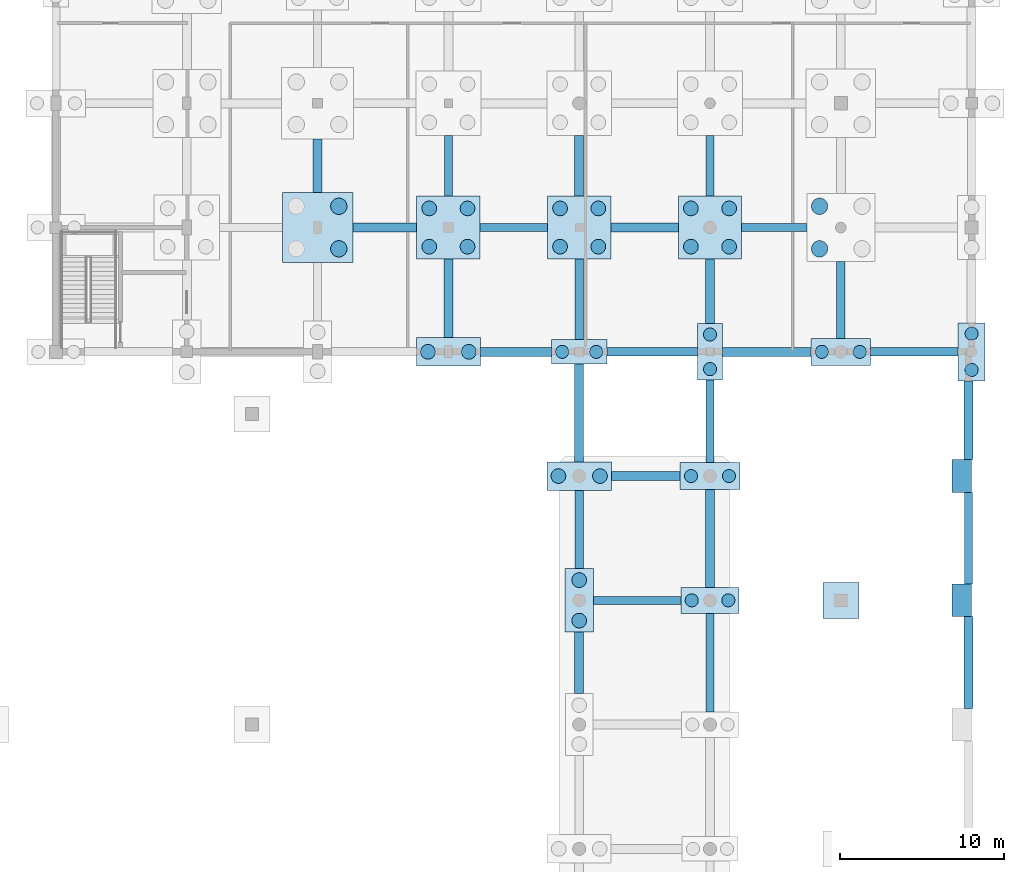
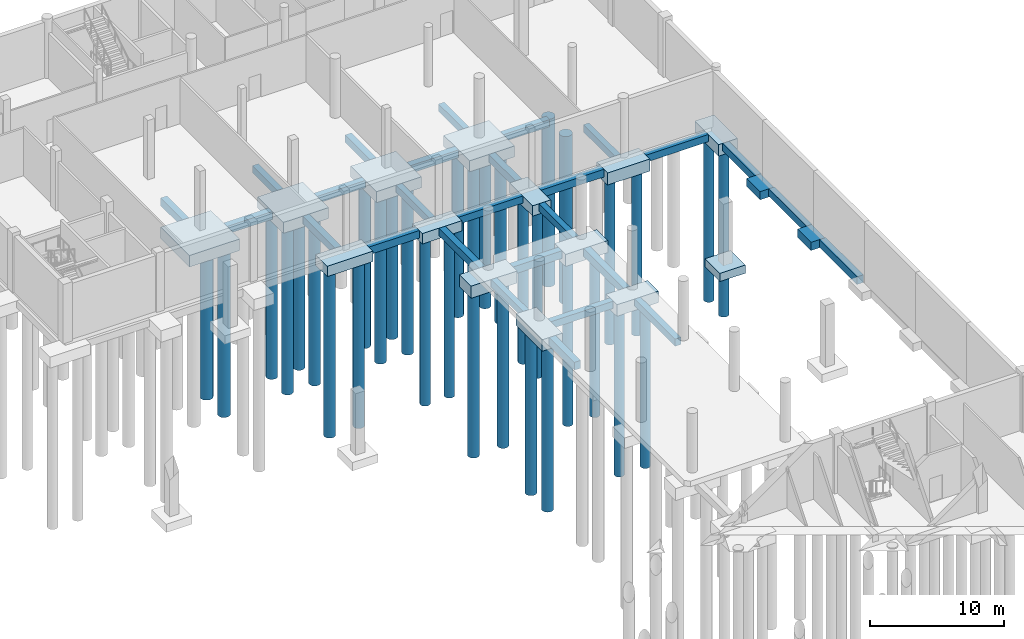
# One storey, part 15 of 44: 43 footings, 34 piles.
"""IFC4 building model written with IfcOpenShell, lengths in metres."""

import ifcopenshell
import ifcopenshell.guid

model = None  # the IFC model being written
_history = None  # IfcOwnerHistory: only IFC2X3 demands one
_inside = {}  # id of a spatial element -> (the spatial element, [elements in it])
_under = {}  # id of a project, library or spatial element -> (it, [spatial elements below it])
_declared = {}  # id of a project -> (the project, [libraries it declares])
_typed = {}  # id of a type object -> (the type object, [elements of that type])
_made_of = {}  # id of a material, layer set ... -> (it, [elements and type objects made of it])


def new_model(schema):
    """Start an empty IFC model of exactly this schema.

    Asked for "IFC4X3", IfcOpenShell would pick the latest addendum, in which some entities
    have other attributes; the version numbers below select the first issue.
    IFC2X3 requires an IfcOwnerHistory on every rooted entity: one is made here for all.
    """
    global model, _history
    if schema == "IFC4X3":
        model = ifcopenshell.file(schema_version=(4, 3, 0, 0))
    else:
        model = ifcopenshell.file(schema=schema)
    _inside.clear()
    _under.clear()
    _declared.clear()
    _typed.clear()
    _made_of.clear()
    _history = None
    if model.schema == "IFC2X3":
        org = make("IfcOrganization", Name="unknown")
        user = make(
            "IfcPersonAndOrganization",
            ThePerson=make("IfcPerson", FamilyName="unknown"),
            TheOrganization=org,
        )
        app = make(
            "IfcApplication",
            ApplicationDeveloper=org,
            Version="unknown",
            ApplicationFullName="unknown",
            ApplicationIdentifier="unknown",
        )
        _history = make(
            "IfcOwnerHistory",
            OwningUser=user,
            OwningApplication=app,
            ChangeAction="ADDED",
            CreationDate=0,
        )
    return model


def make(cls, **values):
    """One entity of the class cls with the attributes given. An attribute that is None is left unset."""
    return model.create_entity(
        cls, **{name: value for name, value in values.items() if value is not None}
    )


def rooted(cls, **values):
    """An entity with a GlobalId (a new one), such as an element, a storey or a relation."""
    return make(cls, GlobalId=ifcopenshell.guid.new(), OwnerHistory=_history, **values)


def si_unit(unit_type, name, prefix=None):
    """IfcSIUnit, for example si_unit("LENGTHUNIT", "METRE", prefix="MILLI")."""
    return make("IfcSIUnit", UnitType=unit_type, Prefix=prefix, Name=name)


def assignment(units):
    """IfcUnitAssignment: the units of a project."""
    return None if units is None else make("IfcUnitAssignment", Units=units)


def point(xyz):
    """IfcCartesianPoint."""
    return None if xyz is None else make("IfcCartesianPoint", Coordinates=xyz)


def direction(xyz):
    """IfcDirection."""
    return None if xyz is None else make("IfcDirection", DirectionRatios=xyz)


def frame(location, z_axis=None, x_axis=None):
    """IfcAxis2Placement3D, a coordinate frame: its origin and axes. An axis left out is left unset."""
    return make(
        "IfcAxis2Placement3D",
        Location=point(location),
        Axis=direction(z_axis),
        RefDirection=direction(x_axis),
    )


def frame_2d(location, x_axis=None):
    """IfcAxis2Placement2D, a coordinate frame in the plane: its origin and x axis."""
    return make(
        "IfcAxis2Placement2D", Location=point(location), RefDirection=direction(x_axis)
    )


def origin():
    """The frame at (0, 0, 0) with its axes left unset."""
    return frame((0.0, 0.0, 0.0))


def origin_2d():
    """The frame at (0, 0) in the plane with its x axis left unset."""
    return frame_2d((0.0, 0.0))


def place(relative_to, where):
    """IfcLocalPlacement: puts the frame where relative to a parent placement (None: the world)."""
    return make(
        "IfcLocalPlacement", PlacementRelTo=relative_to, RelativePlacement=where
    )


def context(
    kind, dimensions, precision=None, world=None, true_north=None, identifier=None
):
    """IfcGeometricRepresentationContext, for example the 3D "Model" context."""
    return make(
        "IfcGeometricRepresentationContext",
        ContextIdentifier=identifier,
        ContextType=kind,
        CoordinateSpaceDimension=dimensions,
        Precision=precision,
        WorldCoordinateSystem=world,
        TrueNorth=true_north,
    )


def subcontext(parent, identifier, kind, view, scale=None):
    """IfcGeometricRepresentationSubContext, for example "Body" below "Model"."""
    return make(
        "IfcGeometricRepresentationSubContext",
        ContextIdentifier=identifier,
        ContextType=kind,
        ParentContext=parent,
        TargetScale=scale,
        TargetView=view,
    )


def project(units=None, contexts=None):
    """IfcProject with its units and contexts."""
    return rooted(
        "IfcProject",
        Name="project",
        RepresentationContexts=contexts,
        UnitsInContext=assignment(units),
    )


def spatial(cls, under=None, at=None, **own):
    """A site, building, storey or space (cls), placed at a placement, below another one or the project."""
    s = rooted(cls, ObjectPlacement=at, **own)
    if under is not None:
        _under.setdefault(under.id(), (under, []))[1].append(s)
    return s


def polyline(points):
    """IfcPolyline through the points."""
    return make("IfcPolyline", Points=[point(p) for p in points])


def profile(cls, at=None, kind="AREA", **sizes):
    """A parametric profile (cls). Its sizes go by their IFC names, for example OverallWidth=200.0."""
    return make(cls, ProfileType=kind, Position=at, **sizes)


def circle(**sizes):
    """IfcCircleProfileDef."""
    return profile("IfcCircleProfileDef", **sizes)


def outline(outer, holes=None, kind="AREA"):
    """IfcArbitraryClosedProfileDef: a profile drawn as a closed curve; with holes, ...WithVoids."""
    if holes is None:
        return make("IfcArbitraryClosedProfileDef", ProfileType=kind, OuterCurve=outer)
    return make(
        "IfcArbitraryProfileDefWithVoids",
        ProfileType=kind,
        OuterCurve=outer,
        InnerCurves=holes,
    )


def extrude(swept, where, along, depth):
    """IfcExtrudedAreaSolid: the profile swept, set in the frame where, extruded along a direction by depth."""
    return make(
        "IfcExtrudedAreaSolid",
        SweptArea=swept,
        Position=where,
        ExtrudedDirection=direction(along),
        Depth=depth,
    )


def shape(context_of_items, identifier, shape_type, items):
    """IfcShapeRepresentation: the items that make up one representation, for example the "Body"."""
    return make(
        "IfcShapeRepresentation",
        ContextOfItems=context_of_items,
        RepresentationIdentifier=identifier,
        RepresentationType=shape_type,
        Items=items,
    )


def material(Name=None, Category=None):
    """IfcMaterial."""
    return make("IfcMaterial", Name=Name, Category=Category)


def material_profile(
    of_material, cross_section, Name=None, Category=None, Priority=None
):
    """IfcMaterialProfile: a cross section and its material."""
    return make(
        "IfcMaterialProfile",
        Name=Name,
        Material=of_material,
        Profile=cross_section,
        Priority=Priority,
        Category=Category,
    )


def profile_set(profiles, Name=None, composite=None):
    """IfcMaterialProfileSet."""
    return make(
        "IfcMaterialProfileSet",
        Name=Name,
        MaterialProfiles=profiles,
        CompositeProfile=composite,
    )


def made_of(thing, what):
    """Note that an element or type object is made of a material, layer set ...; save() writes the relation."""
    if what is not None:
        _made_of.setdefault(what.id(), (what, []))[1].append(thing)
    return thing


def type_object(cls, material=None, **own):
    """A type object (cls), such as IfcWallType, which elements share."""
    return made_of(rooted(cls, **own), material)


def element(
    cls,
    number,
    at=None,
    inside=None,
    cuts=None,
    type_object=None,
    material=None,
    context=None,
    identifier="Body",
    shape_type=None,
    held_by="IfcProductDefinitionShape",
    body=None,
    shapes=None,
    **own,
):
    """One element of the class cls, such as IfcWall. Its Tag is "e" and its number.

    at: its placement. inside: the storey or other place that contains it. cuts: it is an
    opening in that element (IfcRelVoidsElement). A single representation is given by context,
    identifier, shape_type and body (its items); several are given by shapes. held_by: the class
    of the entity that holds the representations. save() writes the other relations.
    """
    e = rooted(cls, Tag="e%d" % number, ObjectPlacement=at, **own)
    if body is not None:
        shapes = [shape(context, identifier, shape_type, body)]
    if shapes is not None:
        e.Representation = make(held_by, Representations=shapes)
    if inside is not None:
        _inside.setdefault(inside.id(), (inside, []))[1].append(e)
    if cuts is not None:
        rooted(
            "IfcRelVoidsElement", RelatingBuildingElement=cuts, RelatedOpeningElement=e
        )
    if type_object is not None:
        _typed.setdefault(type_object.id(), (type_object, []))[1].append(e)
    return made_of(e, material)


def aggregate(whole, parts):
    """IfcRelAggregates: a whole, such as a stair, and the parts it consists of."""
    return rooted("IfcRelAggregates", RelatingObject=whole, RelatedObjects=parts)


def save(model, path):
    """Write the relations noted so far, then the file.

    IfcRelAggregates (storeys below a building ...), IfcRelContainedInSpatialStructure (elements
    in a storey), IfcRelDefinesByType, IfcRelAssociatesMaterial and IfcRelDeclares: one each for
    every whole, place, type object, material and project.
    """
    for whole, parts in _under.values():
        aggregate(whole, parts)
    for where, things in _inside.values():
        rooted(
            "IfcRelContainedInSpatialStructure",
            RelatedElements=things,
            RelatingStructure=where,
        )
    for kind, things in _typed.values():
        rooted("IfcRelDefinesByType", RelatedObjects=things, RelatingType=kind)
    for what, things in _made_of.values():
        rooted("IfcRelAssociatesMaterial", RelatedObjects=things, RelatingMaterial=what)
    for by, libraries in _declared.values():
        rooted("IfcRelDeclares", RelatingContext=by, RelatedDefinitions=libraries)
    model.write(path)


model = new_model("IFC4")

# Units and contexts
model_context = context("Model", 3, precision=1e-05, world=origin(), true_north=direction((0.0, 1.0)))
body_context = subcontext(model_context, "Body", "Model", "MODEL_VIEW")
ifc_project = project(units=[si_unit("LENGTHUNIT", "METRE"), si_unit("AREAUNIT", "SQUARE_METRE"), si_unit("VOLUMEUNIT", "CUBIC_METRE"), si_unit("PLANEANGLEUNIT", "RADIAN"), si_unit("MASSUNIT", "GRAM", prefix="KILO")], contexts=[model_context])

# Site, building, storey
site_placement = place(None, origin())
site = spatial("IfcSite", under=ifc_project, at=site_placement, CompositionType="ELEMENT")
building_placement = place(site_placement, origin())
building = spatial("IfcBuilding", under=site, at=building_placement, Name="Khelvaren Railside Concert Hall", CompositionType="ELEMENT")
storey_placement = place(building_placement, frame((0.0, 0.0, -5.39990234375)))
storey = spatial("IfcBuildingStorey", under=building, at=storey_placement, Name="B1", CompositionType="ELEMENT", Elevation=-5.39990234375)

# Piles
ifc_material = material(Name="Concrete C35/45", Category="concrete")
ifc_material_profile_1 = material_profile(ifc_material, circle(Radius=0.449951171875, at=origin_2d()), Name="BP D900")
ifc_profile_set_1 = profile_set([ifc_material_profile_1], Name="Concrete C35/45")
pile_type_1 = type_object("IfcPileType", Name="BP51", PredefinedType="BORED", material=ifc_profile_set_1)
for number, where, z_axis, x_axis, name in (
    (1, (150.75, 83.60009765625, -1.35009765625), (0.0, 0.0, -1.0), (1.0, 0.0, 0.0), "Bored Pile BP51 PC-V5-176-1"),
    (2, (153.25, 83.60009765625, -1.35009765625), (0.0, 0.0, -1.0), (1.0, 0.0, 0.0), "Bored Pile BP51 PC-V5-176-2"),
):
    element("IfcPile", number, at=place(storey_placement, frame(where, z_axis=z_axis, x_axis=x_axis)), inside=storey, type_object=pile_type_1, Name=name, PredefinedType="BORED", context=body_context, shape_type="SweptSolid", body=[
        extrude(circle(Radius=0.449951171875, at=origin_2d()), origin(), (0.0, 0.0, 1.0), 15.25),
    ])
for number, where, z_axis, x_axis, name in (
    (3, (150.830078125, 90.030029296875, -1.400146484375), (0.0, 0.0, -1.0), (1.0, 0.0, 0.0), "Bored Pile BP51 PC-V5-177-1"),
    (4, (153.169921875, 90.030029296875, -1.400146484375), (0.0, 0.0, -1.0), (1.0, 0.0, 0.0), "Bored Pile BP51 PC-V5-177-2"),
    (5, (150.830078125, 92.3701171875, -1.400146484375), (0.0, 0.0, -1.0), (1.0, 0.0, 0.0), "Bored Pile BP51 PC-V5-177-3"),
    (6, (153.169921875, 92.3701171875, -1.400146484375), (0.0, 0.0, -1.0), (1.0, 0.0, 0.0), "Bored Pile BP51 PC-V5-177-4"),
):
    element("IfcPile", number, at=place(storey_placement, frame(where, z_axis=z_axis, x_axis=x_axis)), inside=storey, type_object=pile_type_1, Name=name, PredefinedType="BORED", context=body_context, shape_type="SweptSolid", body=[
        extrude(circle(Radius=0.449951171875, at=origin_2d()), origin(), (0.0, 0.0, 1.0), 15.199951171875),
    ])
for number, where, z_axis, x_axis, name in (
    (7, (160.0, 67.159912109375, -1.4501953125), (0.0, 0.0, -1.0), (1.0, 0.0, 0.0), "Bored Pile BP51 PC-LB4-190-1"),
    (8, (160.0, 69.639892578125, -1.4501953125), (0.0, 0.0, -1.0), (1.0, 0.0, 0.0), "Bored Pile BP51 PC-LB4-190-2"),
):
    element("IfcPile", number, at=place(storey_placement, frame(where, z_axis=z_axis, x_axis=x_axis)), inside=storey, type_object=pile_type_1, Name=name, PredefinedType="BORED", context=body_context, shape_type="SweptSolid", body=[
        extrude(circle(Radius=0.449951171875, at=origin_2d()), origin(), (0.0, 0.0, 1.0), 15.14990234375),
    ])
for number, where, z_axis, x_axis, name in (
    (9, (158.72998046875, 76.0, -1.5), (0.0, 0.0, -1.0), (1.0, 0.0, 0.0), "Bored Pile BP51 PC-LB4-191-1"),
    (10, (161.27001953125, 76.0, -1.5), (0.0, 0.0, -1.0), (1.0, 0.0, 0.0), "Bored Pile BP51 PC-LB4-191-2"),
):
    element("IfcPile", number, at=place(storey_placement, frame(where, z_axis=z_axis, x_axis=x_axis)), inside=storey, type_object=pile_type_1, Name=name, PredefinedType="BORED", context=body_context, shape_type="SweptSolid", body=[
        extrude(circle(Radius=0.449951171875, at=origin_2d()), origin(), (0.0, 0.0, 1.0), 15.10009765625),
    ])
for number, where, z_axis, x_axis, name in (
    (11, (158.830078125, 90.030029296875, -1.400146484375), (0.0, 0.0, -1.0), (1.0, 0.0, 0.0), "Bored Pile BP51 PC-V5-193-1"),
    (12, (161.169921875, 90.030029296875, -1.400146484375), (0.0, 0.0, -1.0), (1.0, 0.0, 0.0), "Bored Pile BP51 PC-V5-193-2"),
    (13, (158.830078125, 92.3701171875, -1.400146484375), (0.0, 0.0, -1.0), (1.0, 0.0, 0.0), "Bored Pile BP51 PC-V5-193-3"),
    (14, (161.169921875, 92.3701171875, -1.400146484375), (0.0, 0.0, -1.0), (1.0, 0.0, 0.0), "Bored Pile BP51 PC-V5-193-4"),
    (15, (166.830078125, 90.030029296875, -1.400146484375), (0.0, 0.0, -1.0), (1.0, 0.0, 0.0), "Bored Pile BP51 PC-V5-209-1"),
    (16, (169.169921875, 90.030029296875, -1.400146484375), (0.0, 0.0, -1.0), (1.0, 0.0, 0.0), "Bored Pile BP51 PC-V5-209-2"),
    (17, (166.830078125, 92.3701171875, -1.400146484375), (0.0, 0.0, -1.0), (1.0, 0.0, 0.0), "Bored Pile BP51 PC-V5-209-3"),
    (18, (169.169921875, 92.3701171875, -1.400146484375), (0.0, 0.0, -1.0), (1.0, 0.0, 0.0), "Bored Pile BP51 PC-V5-209-4"),
):
    element("IfcPile", number, at=place(storey_placement, frame(where, z_axis=z_axis, x_axis=x_axis)), inside=storey, type_object=pile_type_1, Name=name, PredefinedType="BORED", context=body_context, shape_type="SweptSolid", body=[
        extrude(circle(Radius=0.449951171875, at=origin_2d()), origin(), (0.0, 0.0, 1.0), 15.199951171875),
    ])
ifc_material_profile_2 = material_profile(ifc_material, circle(Radius=0.39990234375, at=origin_2d()), Name="BP D800")
ifc_profile_set_2 = profile_set([ifc_material_profile_2], Name="Concrete C35/45")
pile_type_2 = type_object("IfcPileType", Name="BP84", PredefinedType="BORED", material=ifc_profile_set_2)
for number, where, z_axis, x_axis, name in (
    (19, (158.9599609375, 83.60009765625, -1.35009765625), (0.0, 0.0, -1.0), (1.0, 0.0, 0.0), "Bored Pile BP84 PC-V5-192-1"),
    (20, (161.0400390625, 83.60009765625, -1.35009765625), (0.0, 0.0, -1.0), (1.0, 0.0, 0.0), "Bored Pile BP84 PC-V5-192-2"),
):
    element("IfcPile", number, at=place(storey_placement, frame(where, z_axis=z_axis, x_axis=x_axis)), inside=storey, type_object=pile_type_2, Name=name, PredefinedType="BORED", context=body_context, shape_type="SweptSolid", body=[
        extrude(circle(Radius=0.39990234375, at=origin_2d()), origin(), (0.0, 0.0, 1.0), 15.25),
    ])
for number, where, z_axis, x_axis, name in (
    (21, (166.8798828125, 68.39990234375, -1.4501953125), (0.0, 0.0, -1.0), (1.0, 0.0, 0.0), "Bored Pile BP84 PC-LB4-206-1"),
    (22, (169.1201171875, 68.39990234375, -1.4501953125), (0.0, 0.0, -1.0), (1.0, 0.0, 0.0), "Bored Pile BP84 PC-LB4-206-2"),
):
    element("IfcPile", number, at=place(storey_placement, frame(where, z_axis=z_axis, x_axis=x_axis)), inside=storey, type_object=pile_type_2, Name=name, PredefinedType="BORED", context=body_context, shape_type="SweptSolid", body=[
        extrude(circle(Radius=0.39990234375, at=origin_2d()), origin(), (0.0, 0.0, 1.0), 15.14990234375),
    ])
for number, where, z_axis, x_axis, name in (
    (23, (166.840087890625, 76.0, -1.5), (0.0, 0.0, -1.0), (1.0, 0.0, 0.0), "Bored Pile BP84 PC-LB4-207-1"),
    (24, (169.159912109375, 76.0, -1.5), (0.0, 0.0, -1.0), (1.0, 0.0, 0.0), "Bored Pile BP84 PC-LB4-207-2"),
):
    element("IfcPile", number, at=place(storey_placement, frame(where, z_axis=z_axis, x_axis=x_axis)), inside=storey, type_object=pile_type_2, Name=name, PredefinedType="BORED", context=body_context, shape_type="SweptSolid", body=[
        extrude(circle(Radius=0.39990234375, at=origin_2d()), origin(), (0.0, 0.0, 1.0), 15.10009765625),
    ])
for number, where, z_axis, x_axis, name in (
    (25, (168.0, 82.5400390625, -1.35009765625), (0.0, 0.0, -1.0), (1.0, 0.0, 0.0), "Bored Pile BP84 PC-V5-208-1"),
    (26, (168.0, 84.659912109375, -1.35009765625), (0.0, 0.0, -1.0), (1.0, 0.0, 0.0), "Bored Pile BP84 PC-V5-208-2"),
):
    element("IfcPile", number, at=place(storey_placement, frame(where, z_axis=z_axis, x_axis=x_axis)), inside=storey, type_object=pile_type_2, Name=name, PredefinedType="BORED", context=body_context, shape_type="SweptSolid", body=[
        extrude(circle(Radius=0.39990234375, at=origin_2d()), origin(), (0.0, 0.0, 1.0), 15.25),
    ])
for number, where, z_axis, x_axis, name in (
    (27, (174.840087890625, 83.60009765625, -1.5), (0.0, 0.0, -1.0), (1.0, 0.0, 0.0), "Bored Pile BP84 PC-V5-219-1"),
    (28, (177.159912109375, 83.60009765625, -1.5), (0.0, 0.0, -1.0), (1.0, 0.0, 0.0), "Bored Pile BP84 PC-V5-219-2"),
):
    element("IfcPile", number, at=place(storey_placement, frame(where, z_axis=z_axis, x_axis=x_axis)), inside=storey, type_object=pile_type_2, Name=name, PredefinedType="BORED", context=body_context, shape_type="SweptSolid", body=[
        extrude(circle(Radius=0.39990234375, at=origin_2d()), origin(), (0.0, 0.0, 1.0), 15.10009765625),
    ])
for number, where, z_axis, x_axis, name in (
    (29, (184.0, 82.489990234375, -1.4501953125), (0.0, 0.0, -1.0), (1.0, 0.0, 0.0), "Bored Pile BP84 PC-V5-230-1"),
    (30, (184.0, 84.7099609375, -1.4501953125), (0.0, 0.0, -1.0), (1.0, 0.0, 0.0), "Bored Pile BP84 PC-V5-230-2"),
):
    element("IfcPile", number, at=place(storey_placement, frame(where, z_axis=z_axis, x_axis=x_axis)), inside=storey, type_object=pile_type_2, Name=name, PredefinedType="BORED", context=body_context, shape_type="SweptSolid", body=[
        extrude(circle(Radius=0.39990234375, at=origin_2d()), origin(), (0.0, 0.0, 1.0), 15.14990234375),
    ])
ifc_material_profile_3 = material_profile(ifc_material, circle(Radius=0.5, at=origin_2d()), Name="BP D1000")
ifc_profile_set_3 = profile_set([ifc_material_profile_3], Name="Concrete C35/45")
pile_type_3 = type_object("IfcPileType", Name="BP88", PredefinedType="BORED", material=ifc_profile_set_3)
for number, where, z_axis, x_axis, name in (
    (31, (145.300048828125, 89.89990234375, -1.4501953125), (0.0, 0.0, -1.0), (1.0, 0.0, 0.0), "Bored Pile BP88 PC-V5-166-2"),
    (32, (145.300048828125, 92.5, -1.4501953125), (0.0, 0.0, -1.0), (1.0, 0.0, 0.0), "Bored Pile BP88 PC-V5-166-4"),
):
    element("IfcPile", number, at=place(storey_placement, frame(where, z_axis=z_axis, x_axis=x_axis)), inside=storey, type_object=pile_type_3, Name=name, PredefinedType="BORED", context=body_context, shape_type="SweptSolid", body=[
        extrude(circle(Radius=0.5, at=origin_2d()), origin(), (0.0, 0.0, 1.0), 15.14990234375),
    ])
for number, where, z_axis, x_axis, name in (
    (33, (174.699951171875, 89.89990234375, -1.35009765625), (0.0, 0.0, -1.0), (1.0, 0.0, 0.0), "Bored Pile BP88 PC-V5-220-1"),
    (34, (174.699951171875, 92.5, -1.35009765625), (0.0, 0.0, -1.0), (1.0, 0.0, 0.0), "Bored Pile BP88 PC-V5-220-3"),
):
    element("IfcPile", number, at=place(storey_placement, frame(where, z_axis=z_axis, x_axis=x_axis)), inside=storey, type_object=pile_type_3, Name=name, PredefinedType="BORED", context=body_context, shape_type="SweptSolid", body=[
        extrude(circle(Radius=0.5, at=origin_2d()), origin(), (0.0, 0.0, 1.0), 15.25),
    ])

# Footings
footing_type_1 = type_object("IfcFootingType", Name="GB49", PredefinedType="FOOTING_BEAM", material=ifc_material)
footing_1_placement = place(storey_placement, frame((0.0, 0.0, -1.150146484375)))
element("IfcFooting", 35, at=footing_1_placement, inside=storey, type_object=footing_type_1, Name="Ground Tie Beam GB49 135", PredefinedType="FOOTING_BEAM", context=body_context, shape_type="SweptSolid", body=[
    extrude(outline(polyline([(160.875, 68.14990234375), (166.219970703125, 68.14990234375), (166.219970703125, 68.64990234375), (160.875, 68.64990234375), (160.875, 68.14990234375)])), origin(), (0.0, 0.0, 1.0), 0.650146484375),
])
footing_2_placement = place(storey_placement, frame((0.0, 0.0, -1.150146484375)))
element("IfcFooting", 36, at=footing_2_placement, inside=storey, type_object=footing_type_1, Name="Ground Tie Beam GB49 153", PredefinedType="FOOTING_BEAM", context=body_context, shape_type="SweptSolid", body=[
    extrude(outline(polyline([(161.699951171875, 83.35009765625), (167.22509765625, 83.35009765625), (167.22509765625, 83.85009765625), (161.699951171875, 83.85009765625), (161.699951171875, 83.35009765625)])), origin(), (0.0, 0.0, 1.0), 0.650146484375),
])
footing_3_placement = place(storey_placement, frame((0.0, 0.0, -1.150146484375)))
element("IfcFooting", 37, at=footing_3_placement, inside=storey, type_object=footing_type_1, Name="Ground Tie Beam GB49 155", PredefinedType="FOOTING_BEAM", context=body_context, shape_type="SweptSolid", body=[
    extrude(outline(polyline([(177.820068359375, 83.35009765625), (183.175048828125, 83.35009765625), (183.175048828125, 83.85009765625), (177.820068359375, 83.85009765625), (177.820068359375, 83.35009765625)])), origin(), (0.0, 0.0, 1.0), 0.650146484375),
])
footing_4_placement = place(storey_placement, frame((0.0, 0.0, -1.150146484375)))
element("IfcFooting", 38, at=footing_4_placement, inside=storey, type_object=footing_type_1, Name="Ground Tie Beam GB49 165", PredefinedType="FOOTING_BEAM", context=body_context, shape_type="SweptSolid", body=[
    extrude(outline(polyline([(153.93994140625, 90.949951171875), (158.06005859375, 90.949951171875), (158.06005859375, 91.449951171875), (153.93994140625, 91.449951171875), (153.93994140625, 90.949951171875)])), origin(), (0.0, 0.0, 1.0), 0.650146484375),
])
footing_5_placement = place(storey_placement, frame((0.0, 0.0, -1.150146484375)))
element("IfcFooting", 39, at=footing_5_placement, inside=storey, type_object=footing_type_1, Name="Ground Tie Beam GB49 167", PredefinedType="FOOTING_BEAM", context=body_context, shape_type="SweptSolid", body=[
    extrude(outline(polyline([(169.93994140625, 90.949951171875), (173.919921875, 90.949951171875), (173.919921875, 91.449951171875), (169.93994140625, 91.449951171875), (169.93994140625, 90.949951171875)])), origin(), (0.0, 0.0, 1.0), 0.650146484375),
])
footing_6_placement = place(storey_placement, frame((0.0, 0.0, -1.150146484375)))
element("IfcFooting", 40, at=footing_6_placement, inside=storey, type_object=footing_type_1, Name="Ground Tie Beam GB49 357", PredefinedType="FOOTING_BEAM", context=body_context, shape_type="SweptSolid", body=[
    extrude(outline(polyline([(151.75, 93.1201171875), (152.25, 93.1201171875), (152.25, 96.840087890625), (151.75, 96.840087890625), (151.75, 93.1201171875)])), origin(), (0.0, 0.0, 1.0), 0.650146484375),
])
footing_7_placement = place(storey_placement, frame((0.0, 0.0, -1.150146484375)))
element("IfcFooting", 41, at=footing_7_placement, inside=storey, type_object=footing_type_1, Name="Ground Tie Beam GB49 369", PredefinedType="FOOTING_BEAM", context=body_context, shape_type="SweptSolid", body=[
    extrude(outline(polyline([(159.75, 70.35009765625), (160.25, 70.35009765625), (160.25, 75.125), (159.75, 75.125), (159.75, 70.35009765625)])), origin(), (0.0, 0.0, 1.0), 0.650146484375),
])
footing_8_placement = place(storey_placement, frame((0.0, 0.0, -1.150146484375)))
element("IfcFooting", 42, at=footing_8_placement, inside=storey, type_object=footing_type_1, Name="Ground Tie Beam GB49 371", PredefinedType="FOOTING_BEAM", context=body_context, shape_type="SweptSolid", body=[
    extrude(outline(polyline([(159.75, 84.35009765625), (160.25, 84.35009765625), (160.25, 89.280029296875), (159.75, 89.280029296875), (159.75, 84.35009765625)])), origin(), (0.0, 0.0, 1.0), 0.650146484375),
])
footing_9_placement = place(storey_placement, frame((0.0, 0.0, -1.150146484375)))
element("IfcFooting", 43, at=footing_9_placement, inside=storey, type_object=footing_type_1, Name="Ground Tie Beam GB49 383", PredefinedType="FOOTING_BEAM", context=body_context, shape_type="SweptSolid", body=[
    extrude(outline(polyline([(167.75, 61.574951171875), (168.25, 61.574951171875), (168.25, 67.60009765625), (167.75, 67.60009765625), (167.75, 61.574951171875)])), origin(), (0.0, 0.0, 1.0), 0.650146484375),
])
footing_10_placement = place(storey_placement, frame((0.0, 0.0, -1.150146484375)))
element("IfcFooting", 44, at=footing_10_placement, inside=storey, type_object=footing_type_1, Name="Ground Tie Beam GB49 385", PredefinedType="FOOTING_BEAM", context=body_context, shape_type="SweptSolid", body=[
    extrude(outline(polyline([(167.75, 76.824951171875), (168.25, 76.824951171875), (168.25, 81.8798828125), (167.75, 81.8798828125), (167.75, 76.824951171875)])), origin(), (0.0, 0.0, 1.0), 0.650146484375),
])
footing_11_placement = place(storey_placement, frame((0.0, 0.0, -1.150146484375)))
element("IfcFooting", 45, at=footing_11_placement, inside=storey, type_object=footing_type_1, Name="Ground Tie Beam GB49 387", PredefinedType="FOOTING_BEAM", context=body_context, shape_type="SweptSolid", body=[
    extrude(outline(polyline([(167.75, 93.1201171875), (168.25, 93.1201171875), (168.25, 96.840087890625), (167.75, 96.840087890625), (167.75, 93.1201171875)])), origin(), (0.0, 0.0, 1.0), 0.650146484375),
])
footing_12_placement = place(storey_placement, frame((0.0, 0.0, -1.150146484375)))
element("IfcFooting", 46, at=footing_12_placement, inside=storey, type_object=footing_type_1, Name="Ground Tie Beam GB49 395", PredefinedType="FOOTING_BEAM", context=body_context, shape_type="SweptSolid", body=[
    extrude(outline(polyline([(175.75, 84.425048828125), (176.25, 84.425048828125), (176.25, 89.1201171875), (175.75, 89.1201171875), (175.75, 84.425048828125)])), origin(), (0.0, 0.0, 1.0), 0.650146484375),
])
footing_13_placement = place(storey_placement, frame((0.0, 0.0, -1.150146484375)))
element("IfcFooting", 47, at=footing_13_placement, inside=storey, type_object=footing_type_1, Name="Ground Tie Beam GB49 429", PredefinedType="FOOTING_BEAM", context=body_context, shape_type="SweptSolid", body=[
    extrude(outline(polyline([(183.550048828125, 69.39990234375), (184.050048828125, 69.39990234375), (184.050048828125, 75.0), (183.550048828125, 75.0), (183.550048828125, 69.39990234375)])), origin(), (0.0, 0.0, 1.0), 0.650146484375),
])
footing_type_2 = type_object("IfcFootingType", Name="GB57", PredefinedType="FOOTING_BEAM", material=ifc_material)
footing_14_placement = place(storey_placement, frame((0.0, 0.0, -1.2001953125)))
element("IfcFooting", 48, at=footing_14_placement, inside=storey, type_object=footing_type_2, Name="Ground Tie Beam GB57 142", PredefinedType="FOOTING_BEAM", context=body_context, shape_type="SweptSolid", body=[
    extrude(outline(polyline([(161.97998046875, 75.72509765625), (166.179931640625, 75.72509765625), (166.179931640625, 76.27490234375), (161.97998046875, 76.27490234375), (161.97998046875, 75.72509765625)])), origin(), (0.0, 0.0, 1.0), 0.7001953125),
])
footing_15_placement = place(storey_placement, frame((0.0, 0.0, -1.2001953125)))
element("IfcFooting", 49, at=footing_15_placement, inside=storey, type_object=footing_type_2, Name="Ground Tie Beam GB57 152", PredefinedType="FOOTING_BEAM", context=body_context, shape_type="SweptSolid", body=[
    extrude(outline(polyline([(153.9599609375, 83.324951171875), (158.300048828125, 83.324951171875), (158.300048828125, 83.875), (153.9599609375, 83.875), (153.9599609375, 83.324951171875)])), origin(), (0.0, 0.0, 1.0), 0.7001953125),
])
footing_16_placement = place(storey_placement, frame((0.0, 0.0, -1.2001953125)))
element("IfcFooting", 50, at=footing_16_placement, inside=storey, type_object=footing_type_2, Name="Ground Tie Beam GB57 154", PredefinedType="FOOTING_BEAM", context=body_context, shape_type="SweptSolid", body=[
    extrude(outline(polyline([(168.77490234375, 83.324951171875), (174.179931640625, 83.324951171875), (174.179931640625, 83.875), (168.77490234375, 83.875), (168.77490234375, 83.324951171875)])), origin(), (0.0, 0.0, 1.0), 0.7001953125),
])
footing_17_placement = place(storey_placement, frame((0.0, 0.0, -1.2001953125)))
element("IfcFooting", 51, at=footing_17_placement, inside=storey, type_object=footing_type_2, Name="Ground Tie Beam GB57 164", PredefinedType="FOOTING_BEAM", context=body_context, shape_type="SweptSolid", body=[
    extrude(outline(polyline([(146.159912109375, 90.925048828125), (150.06005859375, 90.925048828125), (150.06005859375, 91.47509765625), (146.159912109375, 91.47509765625), (146.159912109375, 90.925048828125)])), origin(), (0.0, 0.0, 1.0), 0.7001953125),
])
footing_18_placement = place(storey_placement, frame((0.0, 0.0, -1.2001953125)))
element("IfcFooting", 52, at=footing_18_placement, inside=storey, type_object=footing_type_2, Name="Ground Tie Beam GB57 166", PredefinedType="FOOTING_BEAM", context=body_context, shape_type="SweptSolid", body=[
    extrude(outline(polyline([(161.93994140625, 90.925048828125), (166.06005859375, 90.925048828125), (166.06005859375, 91.47509765625), (161.93994140625, 91.47509765625), (161.93994140625, 90.925048828125)])), origin(), (0.0, 0.0, 1.0), 0.7001953125),
])
footing_19_placement = place(storey_placement, frame((0.0, 0.0, -1.2001953125)))
element("IfcFooting", 53, at=footing_19_placement, inside=storey, type_object=footing_type_2, Name="Ground Tie Beam GB57 348", PredefinedType="FOOTING_BEAM", context=body_context, shape_type="SweptSolid", body=[
    extrude(outline(polyline([(143.72509765625, 93.340087890625), (144.27490234375, 93.340087890625), (144.27490234375, 96.6201171875), (143.72509765625, 96.6201171875), (143.72509765625, 93.340087890625)])), origin(), (0.0, 0.0, 1.0), 0.7001953125),
])
footing_20_placement = place(storey_placement, frame((0.0, 0.0, -1.2001953125)))
element("IfcFooting", 54, at=footing_20_placement, inside=storey, type_object=footing_type_2, Name="Ground Tie Beam GB57 356", PredefinedType="FOOTING_BEAM", context=body_context, shape_type="SweptSolid", body=[
    extrude(outline(polyline([(151.72509765625, 84.47509765625), (152.27490234375, 84.47509765625), (152.27490234375, 89.280029296875), (151.72509765625, 89.280029296875), (151.72509765625, 84.47509765625)])), origin(), (0.0, 0.0, 1.0), 0.7001953125),
])
footing_21_placement = place(storey_placement, frame((0.0, 0.0, -1.2001953125)))
element("IfcFooting", 55, at=footing_21_placement, inside=storey, type_object=footing_type_2, Name="Ground Tie Beam GB57 368", PredefinedType="FOOTING_BEAM", context=body_context, shape_type="SweptSolid", body=[
    extrude(outline(polyline([(159.72509765625, 62.699951171875), (160.27490234375, 62.699951171875), (160.27490234375, 66.449951171875), (159.72509765625, 66.449951171875), (159.72509765625, 62.699951171875)])), origin(), (0.0, 0.0, 1.0), 0.7001953125),
])
footing_22_placement = place(storey_placement, frame((0.0, 0.0, -1.2001953125)))
element("IfcFooting", 56, at=footing_22_placement, inside=storey, type_object=footing_type_2, Name="Ground Tie Beam GB57 370", PredefinedType="FOOTING_BEAM", context=body_context, shape_type="SweptSolid", body=[
    extrude(outline(polyline([(159.72509765625, 76.875), (160.27490234375, 76.875), (160.27490234375, 82.85009765625), (159.72509765625, 82.85009765625), (159.72509765625, 76.875)])), origin(), (0.0, 0.0, 1.0), 0.7001953125),
])
footing_23_placement = place(storey_placement, frame((0.0, 0.0, -1.2001953125)))
element("IfcFooting", 57, at=footing_23_placement, inside=storey, type_object=footing_type_2, Name="Ground Tie Beam GB57 372", PredefinedType="FOOTING_BEAM", context=body_context, shape_type="SweptSolid", body=[
    extrude(outline(polyline([(159.72509765625, 93.1201171875), (160.27490234375, 93.1201171875), (160.27490234375, 96.840087890625), (159.72509765625, 96.840087890625), (159.72509765625, 93.1201171875)])), origin(), (0.0, 0.0, 1.0), 0.7001953125),
])
footing_24_placement = place(storey_placement, frame((0.0, 0.0, -1.2001953125)))
element("IfcFooting", 58, at=footing_24_placement, inside=storey, type_object=footing_type_2, Name="Ground Tie Beam GB57 384", PredefinedType="FOOTING_BEAM", context=body_context, shape_type="SweptSolid", body=[
    extrude(outline(polyline([(167.72509765625, 69.199951171875), (168.27490234375, 69.199951171875), (168.27490234375, 75.175048828125), (167.72509765625, 75.175048828125), (167.72509765625, 69.199951171875)])), origin(), (0.0, 0.0, 1.0), 0.7001953125),
])
footing_25_placement = place(storey_placement, frame((0.0, 0.0, -1.2001953125)))
element("IfcFooting", 59, at=footing_25_placement, inside=storey, type_object=footing_type_2, Name="Ground Tie Beam GB57 386", PredefinedType="FOOTING_BEAM", context=body_context, shape_type="SweptSolid", body=[
    extrude(outline(polyline([(167.72509765625, 85.320068359375), (168.27490234375, 85.320068359375), (168.27490234375, 89.280029296875), (167.72509765625, 89.280029296875), (167.72509765625, 85.320068359375)])), origin(), (0.0, 0.0, 1.0), 0.7001953125),
])
footing_26_placement = place(storey_placement, frame((0.0, 0.0, -1.2001953125)))
element("IfcFooting", 60, at=footing_26_placement, inside=storey, type_object=footing_type_2, Name="Ground Tie Beam GB57 428", PredefinedType="FOOTING_BEAM", context=body_context, shape_type="SweptSolid", body=[
    extrude(outline(polyline([(183.52490234375, 61.800048828125), (184.074951171875, 61.800048828125), (184.074951171875, 67.39990234375), (183.52490234375, 67.39990234375), (183.52490234375, 61.800048828125)])), origin(), (0.0, 0.0, 1.0), 0.7001953125),
])
footing_27_placement = place(storey_placement, frame((0.0, 0.0, -1.2001953125)))
element("IfcFooting", 61, at=footing_27_placement, inside=storey, type_object=footing_type_2, Name="Ground Tie Beam GB57 430", PredefinedType="FOOTING_BEAM", context=body_context, shape_type="SweptSolid", body=[
    extrude(outline(polyline([(183.52490234375, 77.0), (184.074951171875, 77.0), (184.074951171875, 81.830078125), (183.52490234375, 81.830078125), (183.52490234375, 77.0)])), origin(), (0.0, 0.0, 1.0), 0.7001953125),
])
footing_type_3 = type_object("IfcFootingType", Name="PC23", PredefinedType="PILE_CAP", material=ifc_material)
footing_28_placement = place(storey_placement, frame((0.0, 0.0, -1.4501953125)))
element("IfcFooting", 62, at=footing_28_placement, inside=storey, type_object=footing_type_3, Name="Pile Cap PC23 (152.0,83.6)", PredefinedType="PILE_CAP", context=body_context, shape_type="SweptSolid", body=[
    extrude(outline(polyline([(150.0400390625, 82.72509765625), (153.9599609375, 82.72509765625), (153.9599609375, 84.47509765625), (150.0400390625, 84.47509765625), (150.0400390625, 82.72509765625)])), origin(), (0.0, 0.0, 1.0), 0.9501953125),
])
footing_type_4 = type_object("IfcFootingType", Name="PC28", PredefinedType="PILE_CAP", material=ifc_material)
footing_29_placement = place(storey_placement, frame((0.0, 0.0, -1.60009765625)))
element("IfcFooting", 63, at=footing_29_placement, inside=storey, type_object=footing_type_4, Name="Pile Cap PC28 (160.0,76.0)", PredefinedType="PILE_CAP", context=body_context, shape_type="SweptSolid", body=[
    extrude(outline(polyline([(158.02001953125, 75.125), (161.97998046875, 75.125), (161.97998046875, 76.875), (158.02001953125, 76.875), (158.02001953125, 75.125)])), origin(), (0.0, 0.0, 1.0), 1.10009765625),
])
footing_type_5 = type_object("IfcFootingType", Name="PC33", PredefinedType="PILE_CAP", material=ifc_material)
footing_30_placement = place(storey_placement, frame((0.0, 0.0, -1.60009765625)))
element("IfcFooting", 64, at=footing_30_placement, inside=storey, type_object=footing_type_5, Name="Pile Cap PC33 (168.0,76.0)", PredefinedType="PILE_CAP", context=body_context, shape_type="SweptSolid", body=[
    extrude(outline(polyline([(166.179931640625, 75.175048828125), (169.820068359375, 75.175048828125), (169.820068359375, 76.824951171875), (166.179931640625, 76.824951171875), (166.179931640625, 75.175048828125)])), origin(), (0.0, 0.0, 1.0), 1.10009765625),
])
footing_31_placement = place(storey_placement, frame((0.0, 0.0, -1.60009765625)))
element("IfcFooting", 65, at=footing_31_placement, inside=storey, type_object=footing_type_5, Name="Pile Cap PC33 (176.0,83.6)", PredefinedType="PILE_CAP", context=body_context, shape_type="SweptSolid", body=[
    extrude(outline(polyline([(174.179931640625, 82.77490234375), (177.820068359375, 82.77490234375), (177.820068359375, 84.425048828125), (174.179931640625, 84.425048828125), (174.179931640625, 82.77490234375)])), origin(), (0.0, 0.0, 1.0), 1.10009765625),
])
footing_type_6 = type_object("IfcFootingType", Name="PC41", PredefinedType="PILE_CAP", material=ifc_material)
footing_32_placement = place(storey_placement, frame((0.0, 0.0, -1.550048828125)))
element("IfcFooting", 66, at=footing_32_placement, inside=storey, type_object=footing_type_6, Name="Pile Cap PC41 (160.0,68.4)", PredefinedType="PILE_CAP", context=body_context, shape_type="SweptSolid", body=[
    extrude(outline(polyline([(159.125, 66.449951171875), (160.875, 66.449951171875), (160.875, 70.35009765625), (159.125, 70.35009765625), (159.125, 66.449951171875)])), origin(), (0.0, 0.0, 1.0), 1.050048828125),
])
footing_type_7 = type_object("IfcFootingType", Name="PC63", PredefinedType="PILE_CAP", material=ifc_material)
footing_33_placement = place(storey_placement, frame((0.0, 0.0, -1.5)))
element("IfcFooting", 67, at=footing_33_placement, inside=storey, type_object=footing_type_7, Name="Pile Cap PC63 (152.0,91.2)", PredefinedType="PILE_CAP", context=body_context, shape_type="SweptSolid", body=[
    extrude(outline(polyline([(150.06005859375, 89.280029296875), (153.93994140625, 89.280029296875), (153.93994140625, 93.1201171875), (150.06005859375, 93.1201171875), (150.06005859375, 89.280029296875)])), origin(), (0.0, 0.0, 1.0), 1.0),
])
footing_34_placement = place(storey_placement, frame((0.0, 0.0, -1.5)))
element("IfcFooting", 68, at=footing_34_placement, inside=storey, type_object=footing_type_7, Name="Pile Cap PC63 (160.0,91.2)", PredefinedType="PILE_CAP", context=body_context, shape_type="SweptSolid", body=[
    extrude(outline(polyline([(158.06005859375, 89.280029296875), (161.93994140625, 89.280029296875), (161.93994140625, 93.1201171875), (158.06005859375, 93.1201171875), (158.06005859375, 89.280029296875)])), origin(), (0.0, 0.0, 1.0), 1.0),
])
footing_35_placement = place(storey_placement, frame((0.0, 0.0, -1.5)))
element("IfcFooting", 69, at=footing_35_placement, inside=storey, type_object=footing_type_7, Name="Pile Cap PC63 (168.0,91.2)", PredefinedType="PILE_CAP", context=body_context, shape_type="SweptSolid", body=[
    extrude(outline(polyline([(166.06005859375, 89.280029296875), (169.93994140625, 89.280029296875), (169.93994140625, 93.1201171875), (166.06005859375, 93.1201171875), (166.06005859375, 89.280029296875)])), origin(), (0.0, 0.0, 1.0), 1.0),
])
footing_type_8 = type_object("IfcFootingType", Name="PC68", PredefinedType="PILE_CAP", material=ifc_material)
footing_36_placement = place(storey_placement, frame((0.0, 0.0, -1.4501953125)))
element("IfcFooting", 70, at=footing_36_placement, inside=storey, type_object=footing_type_8, Name="Pile Cap PC68 (160.0,83.6)", PredefinedType="PILE_CAP", context=body_context, shape_type="SweptSolid", body=[
    extrude(outline(polyline([(158.300048828125, 82.85009765625), (161.699951171875, 82.85009765625), (161.699951171875, 84.35009765625), (158.300048828125, 84.35009765625), (158.300048828125, 82.85009765625)])), origin(), (0.0, 0.0, 1.0), 0.9501953125),
])
footing_type_9 = type_object("IfcFootingType", Name="PC70", PredefinedType="PILE_CAP", material=ifc_material)
footing_37_placement = place(storey_placement, frame((0.0, 0.0, -1.550048828125)))
element("IfcFooting", 71, at=footing_37_placement, inside=storey, type_object=footing_type_9, Name="Pile Cap PC70 (144.0,91.2)", PredefinedType="PILE_CAP", context=body_context, shape_type="SweptSolid", body=[
    extrude(outline(polyline([(141.840087890625, 89.06005859375), (146.159912109375, 89.06005859375), (146.159912109375, 93.340087890625), (141.840087890625, 93.340087890625), (141.840087890625, 89.06005859375)])), origin(), (0.0, 0.0, 1.0), 1.050048828125),
])
footing_type_10 = type_object("IfcFootingType", Name="PC75", PredefinedType="PILE_CAP", material=ifc_material)
footing_38_placement = place(storey_placement, frame((0.0, 0.0, -1.550048828125)))
element("IfcFooting", 72, at=footing_38_placement, inside=storey, type_object=footing_type_10, Name="Pile Cap PC75 (184.0,83.6)", PredefinedType="PILE_CAP", context=body_context, shape_type="SweptSolid", body=[
    extrude(outline(polyline([(183.175048828125, 81.830078125), (184.824951171875, 81.830078125), (184.824951171875, 85.3701171875), (183.175048828125, 85.3701171875), (183.175048828125, 81.830078125)])), origin(), (0.0, 0.0, 1.0), 1.050048828125),
])
footing_type_11 = type_object("IfcFootingType", Name="PC86", PredefinedType="PILE_CAP", material=ifc_material)
footing_39_placement = place(storey_placement, frame((0.0, 0.0, -1.550048828125)))
element("IfcFooting", 73, at=footing_39_placement, inside=storey, type_object=footing_type_11, Name="Pile Cap PC86 (168.0,68.4)", PredefinedType="PILE_CAP", context=body_context, shape_type="SweptSolid", body=[
    extrude(outline(polyline([(166.219970703125, 67.60009765625), (169.780029296875, 67.60009765625), (169.780029296875, 69.199951171875), (166.219970703125, 69.199951171875), (166.219970703125, 67.60009765625)])), origin(), (0.0, 0.0, 1.0), 1.050048828125),
])
footing_type_12 = type_object("IfcFootingType", Name="PC94", PredefinedType="PILE_CAP", material=ifc_material)
footing_40_placement = place(storey_placement, frame((0.0, 0.0, -1.4501953125)))
element("IfcFooting", 74, at=footing_40_placement, inside=storey, type_object=footing_type_12, Name="Pile Cap PC94 (168.0,83.6)", PredefinedType="PILE_CAP", context=body_context, shape_type="SweptSolid", body=[
    extrude(outline(polyline([(167.22509765625, 81.8798828125), (168.77490234375, 81.8798828125), (168.77490234375, 85.320068359375), (167.22509765625, 85.320068359375), (167.22509765625, 81.8798828125)])), origin(), (0.0, 0.0, 1.0), 0.9501953125),
])
footing_type_13 = type_object("IfcFootingType", Name="PF31", PredefinedType="PAD_FOOTING", material=ifc_material)
footing_41_placement = place(storey_placement, frame((0.0, 0.0, -1.25)))
element("IfcFooting", 75, at=footing_41_placement, inside=storey, type_object=footing_type_13, Name="Pad Footing PF31 43", PredefinedType="PAD_FOOTING", context=body_context, shape_type="SweptSolid", body=[
    extrude(outline(polyline([(174.89990234375, 67.300048828125), (177.10009765625, 67.300048828125), (177.10009765625, 69.5), (174.89990234375, 69.5), (174.89990234375, 67.300048828125)])), origin(), (0.0, 0.0, 1.0), 0.75),
])
footing_type_14 = type_object("IfcFootingType", Name="PF71", PredefinedType="PAD_FOOTING", material=ifc_material)
footing_42_placement = place(storey_placement, frame((0.0, 0.0, -1.25)))
element("IfcFooting", 76, at=footing_42_placement, inside=storey, type_object=footing_type_14, Name="Pad Footing PF71 23", PredefinedType="PAD_FOOTING", context=body_context, shape_type="SweptSolid", body=[
    extrude(outline(polyline([(182.800048828125, 67.39990234375), (184.0, 67.39990234375), (184.0, 69.39990234375), (182.800048828125, 69.39990234375), (182.800048828125, 67.39990234375)])), origin(), (0.0, 0.0, 1.0), 0.75),
])
footing_43_placement = place(storey_placement, frame((0.0, 0.0, -1.25)))
element("IfcFooting", 77, at=footing_43_placement, inside=storey, type_object=footing_type_14, Name="Pad Footing PF71 24", PredefinedType="PAD_FOOTING", context=body_context, shape_type="SweptSolid", body=[
    extrude(outline(polyline([(182.800048828125, 75.0), (184.0, 75.0), (184.0, 77.0), (182.800048828125, 77.0), (182.800048828125, 75.0)])), origin(), (0.0, 0.0, 1.0), 0.75),
])

save(model, "model.ifc")
